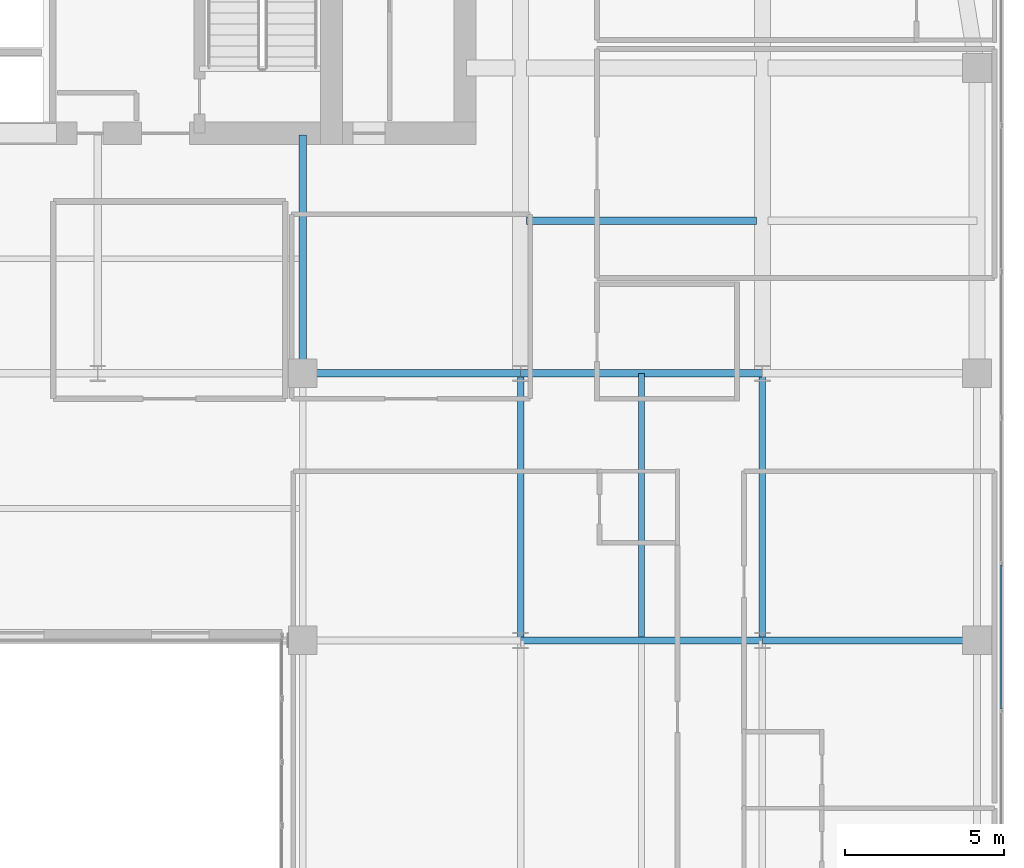
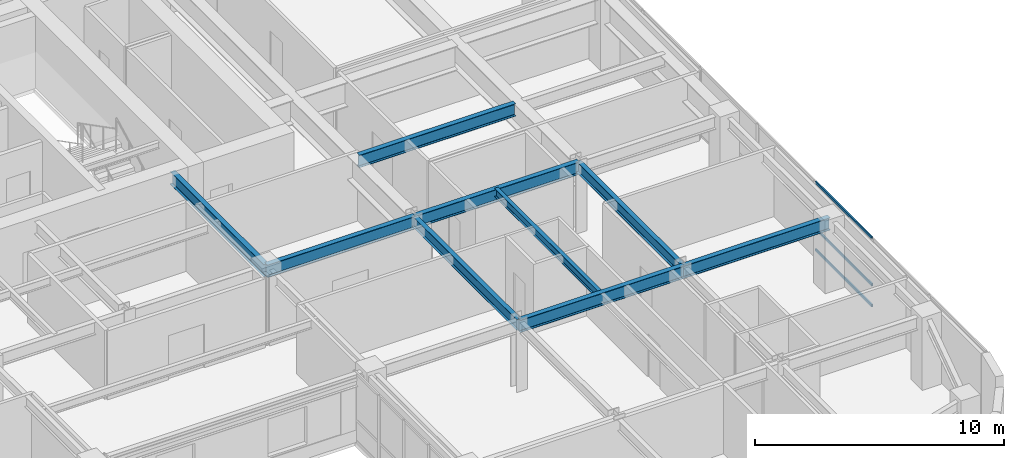
# One storey, part 14 of 31: 9 beams, 3 members, 1 element without a shape of its own.
"""IFC4 building model written with IfcOpenShell, lengths in metres."""

from ifc_helpers import new_model, si_unit, direction, frame, origin, origin_2d, place, context, subcontext, project, spatial, hollow_rectangle, i_section, extrude, source, transform, mapped, material, layer, layer_set, material_profile, profile_set, type_object, type_shapes, element, aggregate, save


model = new_model("IFC4")

# Units and contexts
model_context = context("Model", 3, precision=1e-05, world=origin(), true_north=direction((0.0, 1.0)))
body_context = subcontext(model_context, "Body", "Model", "MODEL_VIEW")
ifc_project = project(units=[si_unit("LENGTHUNIT", "METRE"), si_unit("AREAUNIT", "SQUARE_METRE"), si_unit("VOLUMEUNIT", "CUBIC_METRE"), si_unit("PLANEANGLEUNIT", "RADIAN"), si_unit("MASSUNIT", "GRAM", prefix="KILO")], contexts=[model_context])

# Site, building, storey
site_placement = place(None, origin())
site = spatial("IfcSite", under=ifc_project, at=site_placement, CompositionType="ELEMENT")
building_placement = place(site_placement, origin())
building = spatial("IfcBuilding", under=site, at=building_placement, Name="Tolvann Quenvar Hotel", CompositionType="ELEMENT")
storey_placement = place(building_placement, frame((0.0, 0.0, 125.75)))
storey = spatial("IfcBuildingStorey", under=building, at=storey_placement, Name="L32", CompositionType="ELEMENT", Elevation=125.75)

# Beams
ifc_material_1 = material(Name="Steel Grade 350", Category="steel")
ifc_material_profile_1 = material_profile(ifc_material_1, i_section(OverallWidth=0.22900390625, OverallDepth=0.612060546875, WebThickness=0.011962890625, FlangeThickness=0.01953125, FilletRadius=0.013916015625, at=origin_2d()), Name="610UB125")
ifc_profile_set_1 = profile_set([ifc_material_profile_1], Name="Steel Grade 350")
beam_type_1 = type_object("IfcBeamType", Name="BM_GIRD_610UB125", PredefinedType="BEAM", material=ifc_profile_set_1)
shared_shape_1 = source(origin(), body_context, "Body", "SweptSolid", [
    extrude(i_section(OverallWidth=0.22900390625, OverallDepth=0.612060546875, WebThickness=0.011962890625, FlangeThickness=0.01953125, FilletRadius=0.013916015625, at=origin_2d()), origin(), (0.0, 0.0, 1.0), 6.75),
])
beam_1_placement = place(storey_placement, frame((49.39990234375, 16.0, 3.06396484375), z_axis=(1.0, 0.0, 0.0), x_axis=(0.0, 1.0, 0.0)))
element("IfcBeam", 1, at=beam_1_placement, inside=storey, type_object=beam_type_1, Name="BM-L32-EW-4-I4-J4", PredefinedType="BEAM", context=body_context, shape_type="MappedRepresentation", body=[
    mapped(shared_shape_1, transform((0.0, 0.0, 0.0), x_axis=(1.0, 0.0, 0.0), y_axis=(0.0, 1.0, 0.0), z_axis=(0.0, 0.0, 1.0), scale=1.0)),
])
shared_shape_2 = source(origin(), body_context, "Body", "SweptSolid", [
    extrude(i_section(OverallWidth=0.22900390625, OverallDepth=0.612060546875, WebThickness=0.011962890625, FlangeThickness=0.01953125, FilletRadius=0.013916015625, at=origin_2d()), origin(), (0.0, 0.0, 1.0), 7.599853515625),
])
for number, where, z_axis, x_axis, name in (
    (2, (41.800048828125, 16.0, 3.06396484375), (1.0, 0.0, 0.0), (0.0, 1.0, 0.0), "BM-L32-EW-4-H4-I4"),
    (3, (41.800048828125, 24.39990234375, 3.06396484375), (1.0, 0.0, 0.0), (0.0, 1.0, 0.0), "BM-L32-EW-5-H5-I5"),
):
    element("IfcBeam", number, at=place(storey_placement, frame(where, z_axis=z_axis, x_axis=x_axis)), inside=storey, type_object=beam_type_1, Name=name, PredefinedType="BEAM", context=body_context, shape_type="MappedRepresentation", body=[
        mapped(shared_shape_2, transform((0.0, 0.0, 0.0), x_axis=(1.0, 0.0, 0.0), y_axis=(0.0, 1.0, 0.0), z_axis=(0.0, 0.0, 1.0), scale=1.0)),
    ])
shared_shape_3 = source(origin(), body_context, "Body", "SweptSolid", [
    extrude(i_section(OverallWidth=0.22900390625, OverallDepth=0.612060546875, WebThickness=0.011962890625, FlangeThickness=0.01953125, FilletRadius=0.013916015625, at=origin_2d()), origin(), (0.0, 0.0, 1.0), 6.85009765625),
])
beam_2_placement = place(storey_placement, frame((34.949951171875, 24.39990234375, 3.06396484375), z_axis=(1.0, 0.0, 0.0), x_axis=(0.0, 1.0, 0.0)))
element("IfcBeam", 4, at=beam_2_placement, inside=storey, type_object=beam_type_1, Name="BM-L32-EW-5-F5-H5", PredefinedType="BEAM", context=body_context, shape_type="MappedRepresentation", body=[
    mapped(shared_shape_3, transform((0.0, 0.0, 0.0), x_axis=(1.0, 0.0, 0.0), y_axis=(0.0, 1.0, 0.0), z_axis=(0.0, 0.0, 1.0), scale=1.0)),
])
ifc_material_profile_2 = material_profile(ifc_material_1, i_section(OverallWidth=0.208984375, OverallDepth=0.532958984375, WebThickness=0.01025390625, FlangeThickness=0.015625, FilletRadius=0.013916015625, at=origin_2d()), Name="530UB92")
ifc_profile_set_2 = profile_set([ifc_material_profile_2], Name="Steel Grade 350")
beam_type_2 = type_object("IfcBeamType", Name="BM_GIRD_530UB92", PredefinedType="BEAM", material=ifc_profile_set_2)
shared_shape_4 = source(origin(), body_context, "Body", "SweptSolid", [
    extrude(i_section(OverallWidth=0.208984375, OverallDepth=0.532958984375, WebThickness=0.01025390625, FlangeThickness=0.015625, FilletRadius=0.013916015625, at=origin_2d()), origin(), (0.0, 0.0, 1.0), 8.39990234375),
])
type_shapes(beam_type_2, [shared_shape_4])
for number, where, z_axis, x_axis, name in (
    (5, (41.800048828125, 16.0, 3.103515625), (0.0, 1.0, 0.0), (-1.0, 0.0, 0.0), "BM-L32-NS-H4-H5"),
    (6, (49.39990234375, 16.0, 3.103515625), (0.0, 1.0, 0.0), (-1.0, 0.0, 0.0), "BM-L32-NS-I4-I5"),
):
    element("IfcBeam", number, at=place(storey_placement, frame(where, z_axis=z_axis, x_axis=x_axis)), inside=storey, type_object=beam_type_2, Name=name, PredefinedType="BEAM", context=body_context, shape_type="MappedRepresentation", body=[
        mapped(shared_shape_4, transform((0.0, 0.0, 0.0), x_axis=(1.0, 0.0, 0.0), y_axis=(0.0, 1.0, 0.0), z_axis=(0.0, 0.0, 1.0), scale=1.0)),
    ])
shared_shape_5 = source(origin(), body_context, "Body", "SweptSolid", [
    extrude(i_section(OverallWidth=0.22900390625, OverallDepth=0.612060546875, WebThickness=0.011962890625, FlangeThickness=0.01953125, FilletRadius=0.013916015625, at=origin_2d()), origin(), (0.0, 0.0, 1.0), 7.5),
])
beam_3_placement = place(storey_placement, frame((34.949951171875, 24.39990234375, 3.06396484375), z_axis=(0.0, 1.0, 0.0), x_axis=(-1.0, 0.0, 0.0)))
element("IfcBeam", 7, at=beam_3_placement, inside=storey, type_object=beam_type_1, Name="BM-L32-CORE-F5", PredefinedType="BEAM", context=body_context, shape_type="MappedRepresentation", body=[
    mapped(shared_shape_5, transform((0.0, 0.0, 0.0), x_axis=(1.0, 0.0, 0.0), y_axis=(0.0, 1.0, 0.0), z_axis=(0.0, 0.0, 1.0), scale=1.0)),
])
shared_shape_6 = source(origin(), body_context, "Body", "SweptSolid", [
    extrude(i_section(OverallWidth=0.22900390625, OverallDepth=0.612060546875, WebThickness=0.011962890625, FlangeThickness=0.01953125, FilletRadius=0.013916015625, at=origin_2d()), origin(), (0.0, 0.0, 1.0), 7.239990234375),
])
type_shapes(beam_type_1, [shared_shape_1, shared_shape_2, shared_shape_3, shared_shape_5, shared_shape_6])
beam_4_placement = place(storey_placement, frame((41.97998046875, 29.199951171875, 3.06396484375), z_axis=(1.0, 0.0, 0.0), x_axis=(0.0, 1.0, 0.0)))
element("IfcBeam", 8, at=beam_4_placement, inside=storey, type_object=beam_type_1, Name="BM-L32-EW-HI29", PredefinedType="BEAM", context=body_context, shape_type="MappedRepresentation", body=[
    mapped(shared_shape_6, transform((0.0, 0.0, 0.0), x_axis=(1.0, 0.0, 0.0), y_axis=(0.0, 1.0, 0.0), z_axis=(0.0, 0.0, 1.0), scale=1.0)),
])
ifc_material_profile_3 = material_profile(ifc_material_1, i_section(OverallWidth=0.177978515625, OverallDepth=0.406005859375, WebThickness=0.0078125, FlangeThickness=0.0126953125, FilletRadius=0.011474609375, at=origin_2d()), Name="410UB60")
ifc_profile_set_3 = profile_set([ifc_material_profile_3], Name="Steel Grade 350")
beam_type_3 = type_object("IfcBeamType", Name="BM_JOIST_410UB60", PredefinedType="JOIST", material=ifc_profile_set_3)
shared_shape_7 = source(origin(), body_context, "Body", "SweptSolid", [
    extrude(i_section(OverallWidth=0.177978515625, OverallDepth=0.406005859375, WebThickness=0.0078125, FlangeThickness=0.0126953125, FilletRadius=0.011474609375, at=origin_2d()), origin(), (0.0, 0.0, 1.0), 8.29150390625),
])
type_shapes(beam_type_3, [shared_shape_7])
beam_5_placement = place(storey_placement, frame((45.60009765625, 16.1083984375, 3.1669921875), z_axis=(0.0, 1.0, 0.0), x_axis=(-1.0, 0.0, 0.0)))
element("IfcBeam", 9, at=beam_5_placement, inside=storey, type_object=beam_type_3, Name="BJ-L32-456-160", PredefinedType="JOIST", context=body_context, shape_type="MappedRepresentation", body=[
    mapped(shared_shape_7, transform((0.0, 0.0, 0.0), x_axis=(1.0, 0.0, 0.0), y_axis=(0.0, 1.0, 0.0), z_axis=(0.0, 0.0, 1.0), scale=1.0)),
])

# Curtain wall, members
ifc_material_2 = material(Name="Thermally broken anodised architectural aluminium 6063-T6 and laminated low-E glass", Category="aluminium")
ifc_layer = layer(ifc_material_2, 0.179931640625)
ifc_layer_set = layer_set([ifc_layer], Name="Thermally broken anodised architectural aluminium 6063-T6 and laminated low-E glass")
curtain_wall_type = type_object("IfcCurtainWallType", Name="CW_SYS_BAND_04", PredefinedType="USERDEFINED", material=ifc_layer_set)
curtain_wall_placement = place(storey_placement, origin())
curtain_wall = element("IfcCurtainWall", 10, at=curtain_wall_placement, inside=storey, type_object=curtain_wall_type, Name="Curtain Wall CW-BAND-04 (CWR-L32-E13)", ObjectType="UNITISED CURTAIN WALL", PredefinedType="USERDEFINED")
ifc_material_3 = material(Name="Anodised architectural aluminium 6063-T6 framing", Category="aluminium")
ifc_material_profile_4 = material_profile(ifc_material_3, hollow_rectangle(XDim=0.06005859375, YDim=0.1201171875, WallThickness=0.00341796875, at=origin_2d()), Name="120x60x3.5RHS")
ifc_profile_set_4 = profile_set([ifc_material_profile_4], Name="Anodised architectural aluminium 6063-T6 framing")
member_type = type_object("IfcMemberType", Name="CW_TRAN_120x60", PredefinedType="USERDEFINED", material=ifc_profile_set_4)
shared_shape_8 = source(origin(), body_context, "Body", "SweptSolid", [
    extrude(hollow_rectangle(XDim=0.06005859375, YDim=0.1201171875, WallThickness=0.00341796875, at=origin_2d()), origin(), (0.0, 0.0, 1.0), 4.52587890625),
])
type_shapes(member_type, [shared_shape_8])
member_1_placement = place(storey_placement, frame((56.909912109375, 13.843505859375, 0.030029296875), z_axis=(0.0, 1.0, 0.0), x_axis=(-1.0, 0.0, 0.0)))
member_1 = element("IfcMember", 11, at=member_1_placement, type_object=member_type, Name="CW-BAND-04 transom 3.1", ObjectType="TRANSOM", PredefinedType="USERDEFINED", context=body_context, shape_type="MappedRepresentation", body=[
    mapped(shared_shape_8, transform((0.0, 0.0, 0.0), x_axis=(1.0, 0.0, 0.0), y_axis=(0.0, 1.0, 0.0), z_axis=(0.0, 0.0, 1.0), scale=1.0)),
])
member_2_placement = place(storey_placement, frame((56.909912109375, 13.843505859375, 1.050048828125), z_axis=(0.0, 1.0, 0.0), x_axis=(-1.0, 0.0, 0.0)))
member_2 = element("IfcMember", 12, at=member_2_placement, type_object=member_type, Name="CW-BAND-04 transom 3.2", ObjectType="TRANSOM", PredefinedType="USERDEFINED", context=body_context, shape_type="MappedRepresentation", body=[
    mapped(shared_shape_8, transform((0.0, 0.0, 0.0), x_axis=(1.0, 0.0, 0.0), y_axis=(0.0, 1.0, 0.0), z_axis=(0.0, 0.0, 1.0), scale=1.0)),
])
member_3_placement = place(storey_placement, frame((56.909912109375, 13.843505859375, 3.340087890625), z_axis=(0.0, 1.0, 0.0), x_axis=(-1.0, 0.0, 0.0)))
member_3 = element("IfcMember", 13, at=member_3_placement, type_object=member_type, Name="CW-BAND-04 transom 3.3", ObjectType="TRANSOM", PredefinedType="USERDEFINED", context=body_context, shape_type="MappedRepresentation", body=[
    mapped(shared_shape_8, transform((0.0, 0.0, 0.0), x_axis=(1.0, 0.0, 0.0), y_axis=(0.0, 1.0, 0.0), z_axis=(0.0, 0.0, 1.0), scale=1.0)),
])
aggregate(curtain_wall, [member_1, member_2, member_3])

save(model, "model.ifc")
